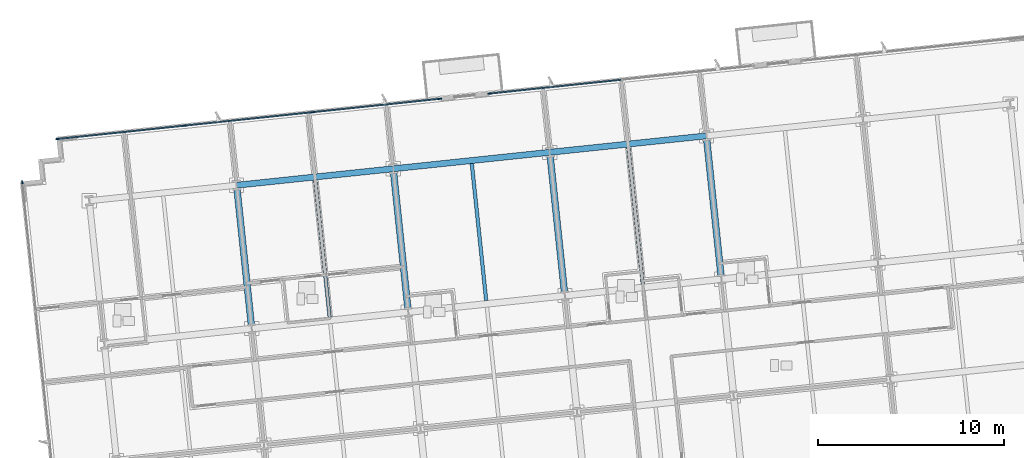
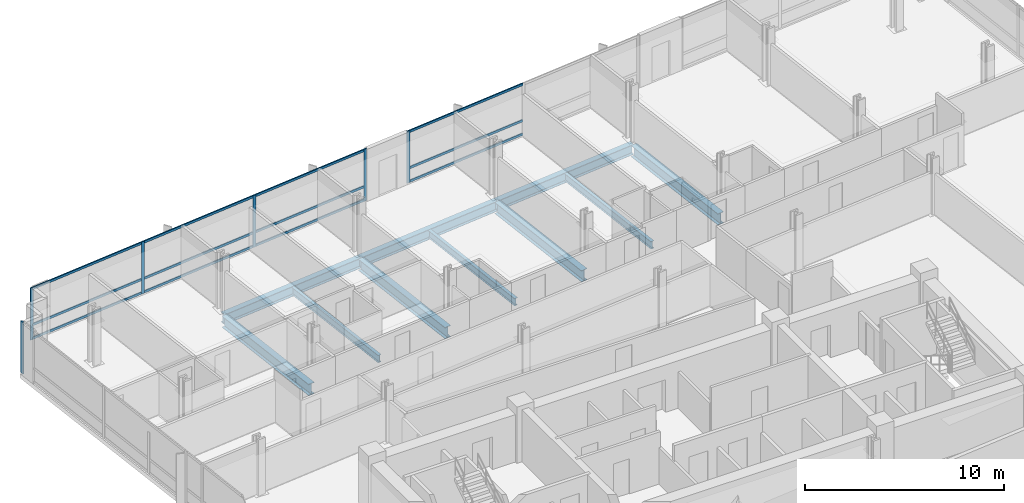
# One storey, part 7 of 17: 18 members, 10 beams, 3 elements without a shape of their own.
"""IFC4 building model written with IfcOpenShell, lengths in metres."""

from ifc_helpers import new_model, si_unit, direction, frame, origin, origin_2d, place, context, subcontext, project, spatial, rectangle, i_section, extrude, material, material_profile, profile_set, type_object, element, aggregate, save


model = new_model("IFC4")

# Units and contexts
model_context = context("Model", 3, precision=1e-05, world=origin(), true_north=direction((0.0, 1.0)))
body_context = subcontext(model_context, "Body", "Model", "MODEL_VIEW")
ifc_project = project(units=[si_unit("LENGTHUNIT", "METRE"), si_unit("AREAUNIT", "SQUARE_METRE"), si_unit("VOLUMEUNIT", "CUBIC_METRE"), si_unit("PLANEANGLEUNIT", "RADIAN"), si_unit("MASSUNIT", "GRAM", prefix="KILO")], contexts=[model_context])

# Site, building, storey
site_placement = place(None, origin())
site = spatial("IfcSite", under=ifc_project, at=site_placement, CompositionType="ELEMENT")
building_placement = place(site_placement, origin())
building = spatial("IfcBuilding", under=site, at=building_placement, Name="Solmavex Isthmus Hotel", CompositionType="ELEMENT")
storey_placement = place(building_placement, frame((0.0, 0.0, 116.699951171875)))
storey = spatial("IfcBuildingStorey", under=building, at=storey_placement, Name="L31", CompositionType="ELEMENT", Elevation=116.699951171875)

# Beams
ifc_material_1 = material(Name="Steel ASTM A992 Grade 50", Category="steel")
ifc_material_profile_1 = material_profile(ifc_material_1, i_section(OverallWidth=0.354736328125, OverallDepth=0.695556640625, WebThickness=0.015380859375, FlangeThickness=0.02490234375, FilletRadius=0.017822265625, at=origin_2d()), Name="W27X146")
ifc_profile_set_1 = profile_set([ifc_material_profile_1], Name="Steel ASTM A992 Grade 50")
beam_type_1 = type_object("IfcBeamType", Name="BM-BG-W27X146", PredefinedType="BEAM", material=ifc_profile_set_1)
for number, where, z_axis, x_axis, name in (
    (1, (-13.135498046875, 8.55859375, -0.607666015625), (-0.1045578893, 0.994518802128, 0.0), (-0.994518802128, -0.1045578893, 0.0), "Floor Beam L31-VG31"),
    (2, (-4.716064453125, 9.443603515625, -0.607666015625), (-0.104525307271, 0.994522227072, 0.0), (-0.994522227072, -0.104525307271, 0.0), "Floor Beam L31-VG35"),
):
    element("IfcBeam", number, at=place(storey_placement, frame(where, z_axis=z_axis, x_axis=x_axis)), inside=storey, type_object=beam_type_1, Name=name, PredefinedType="BEAM", context=body_context, shape_type="SweptSolid", body=[
        extrude(i_section(OverallWidth=0.354736328125, OverallDepth=0.695556640625, WebThickness=0.015380859375, FlangeThickness=0.02490234375, FilletRadius=0.017822265625, at=origin_2d()), origin(), (0.0, 0.0, 1.0), 7.4111328125),
    ])
beam_1_placement = place(storey_placement, frame((3.70361328125, 10.328369140625, -0.607666015625), z_axis=(-0.10452188296, 0.994522586964, 0.0), x_axis=(-0.994522586964, -0.10452188296, 0.0)))
element("IfcBeam", 3, at=beam_1_placement, inside=storey, type_object=beam_type_1, Name="Floor Beam L31-VG39", PredefinedType="BEAM", context=body_context, shape_type="SweptSolid", body=[
    extrude(i_section(OverallWidth=0.354736328125, OverallDepth=0.695556640625, WebThickness=0.015380859375, FlangeThickness=0.02490234375, FilletRadius=0.017822265625, at=origin_2d()), origin(), (0.0, 0.0, 1.0), 7.411376953125),
])
beam_2_placement = place(storey_placement, frame((12.123291015625, 11.21337890625, -0.607666015625), z_axis=(-0.104525307271, 0.994522227072, 0.0), x_axis=(-0.994522227072, -0.104525307271, 0.0)))
element("IfcBeam", 4, at=beam_2_placement, inside=storey, type_object=beam_type_1, Name="Floor Beam L31-VG42", PredefinedType="BEAM", context=body_context, shape_type="SweptSolid", body=[
    extrude(i_section(OverallWidth=0.354736328125, OverallDepth=0.695556640625, WebThickness=0.015380859375, FlangeThickness=0.02490234375, FilletRadius=0.017822265625, at=origin_2d()), origin(), (0.0, 0.0, 1.0), 7.4111328125),
])
ifc_material_profile_2 = material_profile(ifc_material_1, i_section(OverallWidth=0.1904296875, OverallDepth=0.456787109375, WebThickness=0.009033203125, FlangeThickness=0.014404296875, FilletRadius=0.0126953125, at=origin_2d()), Name="W18X50")
ifc_profile_set_2 = profile_set([ifc_material_profile_2], Name="Steel ASTM A992 Grade 50")
beam_type_2 = type_object("IfcBeamType", Name="BM-BJ-W18X50", PredefinedType="JOIST", material=ifc_profile_set_2)
beam_3_placement = place(storey_placement, frame((-8.92578125, 9.0009765625, -0.48828125), z_axis=(-0.10452188296, 0.994522586964, 0.0), x_axis=(-0.994522586964, -0.10452188296, 0.0)))
element("IfcBeam", 5, at=beam_3_placement, inside=storey, type_object=beam_type_2, Name="Secondary Floor Joist L31-J08", PredefinedType="JOIST", context=body_context, shape_type="SweptSolid", body=[
    extrude(i_section(OverallWidth=0.1904296875, OverallDepth=0.456787109375, WebThickness=0.009033203125, FlangeThickness=0.014404296875, FilletRadius=0.0126953125, at=origin_2d()), origin(), (0.0, 0.0, 1.0), 7.411376953125),
])
for number, where, z_axis, x_axis, name in (
    (6, (-0.506103515625, 9.885986328125, -0.48828125), (-0.104525307271, 0.994522227072, 0.0), (-0.994522227072, -0.104525307271, 0.0), "Secondary Floor Joist L31-J12"),
    (7, (7.913330078125, 10.77099609375, -0.48828125), (-0.104525307271, 0.994522227072, 0.0), (-0.994522227072, -0.104525307271, 0.0), "Secondary Floor Joist L31-J15"),
):
    element("IfcBeam", number, at=place(storey_placement, frame(where, z_axis=z_axis, x_axis=x_axis)), inside=storey, type_object=beam_type_2, Name=name, PredefinedType="JOIST", context=body_context, shape_type="SweptSolid", body=[
        extrude(i_section(OverallWidth=0.1904296875, OverallDepth=0.456787109375, WebThickness=0.009033203125, FlangeThickness=0.014404296875, FilletRadius=0.0126953125, at=origin_2d()), origin(), (0.0, 0.0, 1.0), 7.4111328125),
    ])
ifc_material_profile_3 = material_profile(ifc_material_1, i_section(OverallWidth=0.326416015625, OverallDepth=0.621826171875, WebThickness=0.015380859375, FlangeThickness=0.0244140625, FilletRadius=0.01513671875, at=origin_2d()), Name="W24X131")
ifc_profile_set_3 = profile_set([ifc_material_profile_3], Name="Steel ASTM A992 Grade 50")
beam_type_3 = type_object("IfcBeamType", Name="BM-SP-W24X131", PredefinedType="SPANDREL", material=ifc_profile_set_3)
for number, where, z_axis, x_axis, name in (
    (8, (-13.927490234375, 16.091552734375, -0.57080078125), (0.994521085209, 0.104536171134, 0.0), (-0.104536171134, 0.994521085209, 0.0), "Floor Girder L31-UG20"),
    (9, (-5.5078125, 16.9765625, -0.57080078125), (0.994521085209, 0.104536171134, 0.0), (-0.104536171134, 0.994521085209, 0.0), "Floor Girder L31-UG21"),
    (10, (2.911865234375, 17.861572265625, -0.57080078125), (0.994521085209, 0.104536171134, 0.0), (-0.104536171134, 0.994521085209, 0.0), "Floor Girder L31-UG22"),
):
    element("IfcBeam", number, at=place(storey_placement, frame(where, z_axis=z_axis, x_axis=x_axis)), inside=storey, type_object=beam_type_3, Name=name, PredefinedType="SPANDREL", context=body_context, shape_type="SweptSolid", body=[
        extrude(i_section(OverallWidth=0.326416015625, OverallDepth=0.621826171875, WebThickness=0.015380859375, FlangeThickness=0.0244140625, FilletRadius=0.01513671875, at=origin_2d()), origin(), (0.0, 0.0, 1.0), 8.466064453125),
    ])

# Curtain wall, members
ifc_material_2 = material(Name="Aluminium alloy 6063-T6", Category="aluminium")
curtain_wall_type = type_object("IfcCurtainWallType", Name="CW-SYS-03", PredefinedType="NOTDEFINED", material=ifc_material_2)
curtain_wall_1_placement = place(storey_placement, origin())
curtain_wall_1 = element("IfcCurtainWall", 11, at=curtain_wall_1_placement, inside=storey, type_object=curtain_wall_type, Name="Stick Curtain Wall CWL-L31-N1", PredefinedType="NOTDEFINED")
ifc_material_profile_4 = material_profile(ifc_material_2, rectangle(XDim=0.070068359375, YDim=0.179931640625, at=origin_2d()), Name="CWM-70X180")
ifc_profile_set_4 = profile_set([ifc_material_profile_4], Name="Aluminium alloy 6063-T6")
member_type_1 = type_object("IfcMemberType", Name="CW-SYS-03-MUL", PredefinedType="MULLION", material=ifc_profile_set_4)
member_1_placement = place(storey_placement, frame((-23.572998046875, 18.5771484375, 0.0), z_axis=(0.0, 0.0, 1.0), x_axis=(-0.10452832057, 0.994521910366, 0.0)))
member_1 = element("IfcMember", 12, at=member_1_placement, type_object=member_type_1, Name="CW-03 mullion 1", PredefinedType="MULLION", context=body_context, shape_type="SweptSolid", body=[
    extrude(rectangle(XDim=0.070068359375, YDim=0.179931640625, at=origin_2d()), origin(), (0.0, 0.0, 1.0), 3.18994140625),
])
member_2_placement = place(storey_placement, frame((-16.723388671875, 19.296875, 0.0), z_axis=(0.0, 0.0, 1.0), x_axis=(-0.10452832057, 0.994521910366, 0.0)))
member_2 = element("IfcMember", 13, at=member_2_placement, type_object=member_type_1, Name="CW-03 mullion 2", PredefinedType="MULLION", context=body_context, shape_type="SweptSolid", body=[
    extrude(rectangle(XDim=0.070068359375, YDim=0.179931640625, at=origin_2d()), origin(), (0.0, 0.0, 1.0), 3.18994140625),
])
member_3_placement = place(storey_placement, frame((-9.839111328125, 20.0205078125, 0.0), z_axis=(0.0, 0.0, 1.0), x_axis=(-0.10452832057, 0.994521910366, 0.0)))
member_3 = element("IfcMember", 14, at=member_3_placement, type_object=member_type_1, Name="CW-03 mullion 3", PredefinedType="MULLION", context=body_context, shape_type="SweptSolid", body=[
    extrude(rectangle(XDim=0.070068359375, YDim=0.179931640625, at=origin_2d()), origin(), (0.0, 0.0, 1.0), 3.18994140625),
])
member_4_placement = place(storey_placement, frame((-2.989501953125, 20.740478515625, 0.0), z_axis=(0.0, 0.0, 1.0), x_axis=(-0.10452832057, 0.994521910366, 0.0)))
member_4 = element("IfcMember", 15, at=member_4_placement, type_object=member_type_1, Name="CW-03 mullion 4", PredefinedType="MULLION", context=body_context, shape_type="SweptSolid", body=[
    extrude(rectangle(XDim=0.070068359375, YDim=0.179931640625, at=origin_2d()), origin(), (0.0, 0.0, 1.0), 3.18994140625),
])

# Curtain wall, member
curtain_wall_2_placement = place(storey_placement, origin())
curtain_wall_2 = element("IfcCurtainWall", 16, at=curtain_wall_2_placement, inside=storey, type_object=curtain_wall_type, Name="Stick Curtain Wall CWL-L31-N2", PredefinedType="NOTDEFINED")
member_5_placement = place(storey_placement, frame((-0.333984375, 21.01953125, 0.0), z_axis=(0.0, 0.0, 1.0), x_axis=(-0.10452900389, 0.994521838546, 0.0)))
member_5 = element("IfcMember", 17, at=member_5_placement, type_object=member_type_1, Name="CW-03 mullion 1", PredefinedType="MULLION", context=body_context, shape_type="SweptSolid", body=[
    extrude(rectangle(XDim=0.070068359375, YDim=0.179931640625, at=origin_2d()), origin(), (0.0, 0.0, 1.0), 3.18994140625),
])

curtain_wall_3_placement = place(storey_placement, origin())
curtain_wall_3 = element("IfcCurtainWall", 18, at=curtain_wall_3_placement, inside=storey, type_object=curtain_wall_type, Name="Stick Curtain Wall CWL-L31-W1", PredefinedType="NOTDEFINED")
member_6_placement = place(storey_placement, frame((-25.455322265625, 16.25244140625, 0.0), z_axis=(0.0, 0.0, 1.0), x_axis=(-0.994521893044, -0.104528485381, 0.0)))
member_6 = element("IfcMember", 19, at=member_6_placement, type_object=member_type_1, Name="CW-03 mullion 6", PredefinedType="MULLION", context=body_context, shape_type="SweptSolid", body=[
    extrude(rectangle(XDim=0.070068359375, YDim=0.179931640625, at=origin_2d()), origin(), (0.0, 0.0, 1.0), 3.18994140625),
])
aggregate(curtain_wall_3, [member_6])

# Member
ifc_material_profile_5 = material_profile(ifc_material_2, rectangle(XDim=0.070068359375, YDim=0.139892578125, at=origin_2d()), Name="CWT-70X140")
ifc_profile_set_5 = profile_set([ifc_material_profile_5], Name="Aluminium alloy 6063-T6")
member_type_2 = type_object("IfcMemberType", Name="CW-SYS-03-TRN", PredefinedType="USERDEFINED", material=ifc_profile_set_5)
member_7_placement = place(storey_placement, frame((-23.5380859375, 18.58056640625, 0.070068359375), z_axis=(0.994520944536, 0.104537509438, 0.0), x_axis=(-0.104537509438, 0.994520944536, 0.0)))
member_7 = element("IfcMember", 20, at=member_7_placement, type_object=member_type_2, Name="CW-03 transom 1.1", ObjectType="TRANSOM", PredefinedType="USERDEFINED", context=body_context, shape_type="SweptSolid", body=[
    extrude(rectangle(XDim=0.070068359375, YDim=0.139892578125, at=origin_2d()), origin(), (0.0, 0.0, 1.0), 6.817138671875),
])

member_8_placement = place(storey_placement, frame((-23.5380859375, 18.58056640625, 0.900146484375), z_axis=(0.994520944536, 0.104537509438, 0.0), x_axis=(-0.104537509438, 0.994520944536, 0.0)))
member_8 = element("IfcMember", 21, at=member_8_placement, type_object=member_type_2, Name="CW-03 transom 1.2", ObjectType="TRANSOM", PredefinedType="USERDEFINED", context=body_context, shape_type="SweptSolid", body=[
    extrude(rectangle(XDim=0.070068359375, YDim=0.139892578125, at=origin_2d()), origin(), (0.0, 0.0, 1.0), 6.817138671875),
])

member_9_placement = place(storey_placement, frame((-23.5380859375, 18.58056640625, 3.1201171875), z_axis=(0.994520944536, 0.104537509438, 0.0), x_axis=(-0.104537509438, 0.994520944536, 0.0)))
member_9 = element("IfcMember", 22, at=member_9_placement, type_object=member_type_2, Name="CW-03 transom 1.3", ObjectType="TRANSOM", PredefinedType="USERDEFINED", context=body_context, shape_type="SweptSolid", body=[
    extrude(rectangle(XDim=0.070068359375, YDim=0.139892578125, at=origin_2d()), origin(), (0.0, 0.0, 1.0), 6.817138671875),
])

member_10_placement = place(storey_placement, frame((-16.6884765625, 19.300537109375, 0.070068359375), z_axis=(0.994521060183, 0.104536409221, 0.0), x_axis=(-0.104536409221, 0.994521060183, 0.0)))
member_10 = element("IfcMember", 23, at=member_10_placement, type_object=member_type_2, Name="CW-03 transom 2.1", ObjectType="TRANSOM", PredefinedType="USERDEFINED", context=body_context, shape_type="SweptSolid", body=[
    extrude(rectangle(XDim=0.070068359375, YDim=0.139892578125, at=origin_2d()), origin(), (0.0, 0.0, 1.0), 6.852294921875),
])

member_11_placement = place(storey_placement, frame((-16.6884765625, 19.300537109375, 0.900146484375), z_axis=(0.994521060183, 0.104536409221, 0.0), x_axis=(-0.104536409221, 0.994521060183, 0.0)))
member_11 = element("IfcMember", 24, at=member_11_placement, type_object=member_type_2, Name="CW-03 transom 2.2", ObjectType="TRANSOM", PredefinedType="USERDEFINED", context=body_context, shape_type="SweptSolid", body=[
    extrude(rectangle(XDim=0.070068359375, YDim=0.139892578125, at=origin_2d()), origin(), (0.0, 0.0, 1.0), 6.852294921875),
])

member_12_placement = place(storey_placement, frame((-16.6884765625, 19.300537109375, 3.1201171875), z_axis=(0.994521060183, 0.104536409221, 0.0), x_axis=(-0.104536409221, 0.994521060183, 0.0)))
member_12 = element("IfcMember", 25, at=member_12_placement, type_object=member_type_2, Name="CW-03 transom 2.3", ObjectType="TRANSOM", PredefinedType="USERDEFINED", context=body_context, shape_type="SweptSolid", body=[
    extrude(rectangle(XDim=0.070068359375, YDim=0.139892578125, at=origin_2d()), origin(), (0.0, 0.0, 1.0), 6.852294921875),
])

member_13_placement = place(storey_placement, frame((-9.80419921875, 20.024169921875, 0.070068359375), z_axis=(0.99452133588, 0.104533786303, 0.0), x_axis=(-0.104533786303, 0.99452133588, 0.0)))
member_13 = element("IfcMember", 26, at=member_13_placement, type_object=member_type_2, Name="CW-03 transom 3.1", ObjectType="TRANSOM", PredefinedType="USERDEFINED", context=body_context, shape_type="SweptSolid", body=[
    extrude(rectangle(XDim=0.070068359375, YDim=0.139892578125, at=origin_2d()), origin(), (0.0, 0.0, 1.0), 6.8173828125),
])

member_14_placement = place(storey_placement, frame((-9.80419921875, 20.024169921875, 0.900146484375), z_axis=(0.99452133588, 0.104533786303, 0.0), x_axis=(-0.104533786303, 0.99452133588, 0.0)))
member_14 = element("IfcMember", 27, at=member_14_placement, type_object=member_type_2, Name="CW-03 transom 3.2", ObjectType="TRANSOM", PredefinedType="USERDEFINED", context=body_context, shape_type="SweptSolid", body=[
    extrude(rectangle(XDim=0.070068359375, YDim=0.139892578125, at=origin_2d()), origin(), (0.0, 0.0, 1.0), 6.8173828125),
])

member_15_placement = place(storey_placement, frame((-9.80419921875, 20.024169921875, 3.1201171875), z_axis=(0.99452133588, 0.104533786303, 0.0), x_axis=(-0.104533786303, 0.99452133588, 0.0)))
member_15 = element("IfcMember", 28, at=member_15_placement, type_object=member_type_2, Name="CW-03 transom 3.3", ObjectType="TRANSOM", PredefinedType="USERDEFINED", context=body_context, shape_type="SweptSolid", body=[
    extrude(rectangle(XDim=0.070068359375, YDim=0.139892578125, at=origin_2d()), origin(), (0.0, 0.0, 1.0), 6.8173828125),
])

aggregate(curtain_wall_1, [member_1, member_2, member_3, member_4, member_7, member_8, member_9, member_10, member_11, member_12, member_13, member_14, member_15])

member_16_placement = place(storey_placement, frame((-0.29931640625, 21.023193359375, 0.070068359375), z_axis=(0.9945226797, 0.104521000582, 0.0), x_axis=(-0.104521000582, 0.9945226797, 0.0)))
member_16 = element("IfcMember", 29, at=member_16_placement, type_object=member_type_2, Name="CW-03 transom 1.1", ObjectType="TRANSOM", PredefinedType="USERDEFINED", context=body_context, shape_type="SweptSolid", body=[
    extrude(rectangle(XDim=0.070068359375, YDim=0.139892578125, at=origin_2d()), origin(), (0.0, 0.0, 1.0), 7.06103515625),
])

member_17_placement = place(storey_placement, frame((-0.29931640625, 21.023193359375, 0.900146484375), z_axis=(0.9945226797, 0.104521000582, 0.0), x_axis=(-0.104521000582, 0.9945226797, 0.0)))
member_17 = element("IfcMember", 30, at=member_17_placement, type_object=member_type_2, Name="CW-03 transom 1.2", ObjectType="TRANSOM", PredefinedType="USERDEFINED", context=body_context, shape_type="SweptSolid", body=[
    extrude(rectangle(XDim=0.070068359375, YDim=0.139892578125, at=origin_2d()), origin(), (0.0, 0.0, 1.0), 7.06103515625),
])

member_18_placement = place(storey_placement, frame((-0.29931640625, 21.023193359375, 3.1201171875), z_axis=(0.9945226797, 0.104521000582, 0.0), x_axis=(-0.104521000582, 0.9945226797, 0.0)))
member_18 = element("IfcMember", 31, at=member_18_placement, type_object=member_type_2, Name="CW-03 transom 1.3", ObjectType="TRANSOM", PredefinedType="USERDEFINED", context=body_context, shape_type="SweptSolid", body=[
    extrude(rectangle(XDim=0.070068359375, YDim=0.139892578125, at=origin_2d()), origin(), (0.0, 0.0, 1.0), 7.06103515625),
])

aggregate(curtain_wall_2, [member_5, member_16, member_17, member_18])

save(model, "model.ifc")
